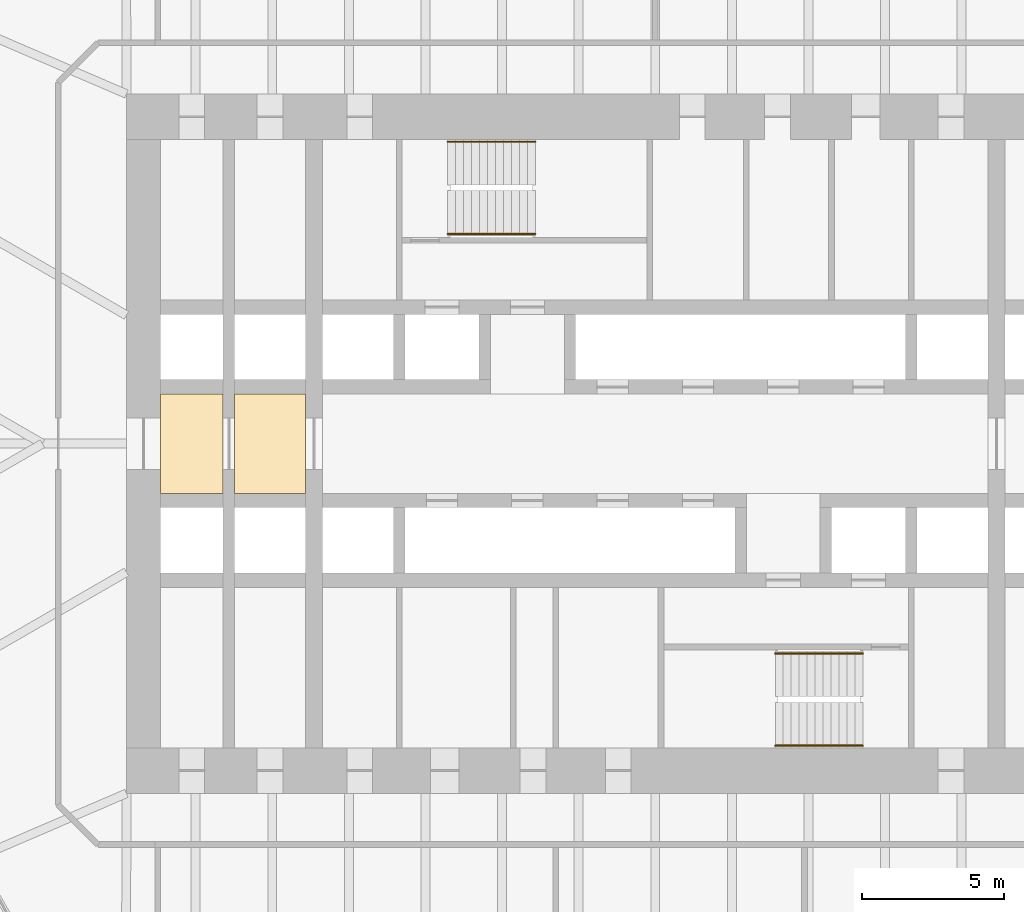
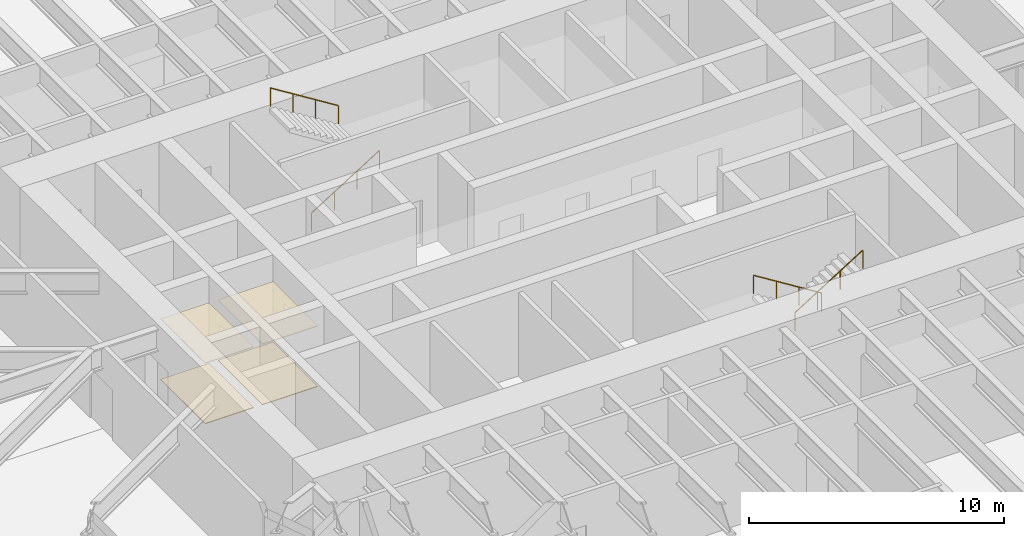
# One storey, part 21 of 23: 4 coverings, 4 railings.
"""IFC4 building model written with IfcOpenShell, lengths in metres."""

from ifc_helpers import new_model, si_unit, direction, frame, origin, origin_2d, place, context, subcontext, project, spatial, polyline, circle, outline, extrude, material, layer, layer_set, type_object, element, save


model = new_model("IFC4")

# Units and contexts
model_context = context("Model", 3, precision=1e-05, world=origin(), true_north=direction((0.0, 1.0)))
body_context = subcontext(model_context, "Body", "Model", "MODEL_VIEW")
ifc_project = project(units=[si_unit("LENGTHUNIT", "METRE"), si_unit("AREAUNIT", "SQUARE_METRE"), si_unit("VOLUMEUNIT", "CUBIC_METRE"), si_unit("PLANEANGLEUNIT", "RADIAN"), si_unit("MASSUNIT", "GRAM", prefix="KILO")], contexts=[model_context])

# Site, building, storey
site_placement = place(None, origin())
site = spatial("IfcSite", under=ifc_project, at=site_placement, CompositionType="ELEMENT")
building_placement = place(site_placement, origin())
building = spatial("IfcBuilding", under=site, at=building_placement, Name="Tarfa Lantern Tower", CompositionType="ELEMENT")
storey_placement = place(building_placement, frame((0.0, 0.0, 31.89990234375)))
storey = spatial("IfcBuildingStorey", under=building, at=storey_placement, Name="L06", CompositionType="ELEMENT", Elevation=31.89990234375)

# Coverings
ifc_material_1 = material(Name="Powder-coated aluminium panel", Category="aluminium")
ifc_layer_1 = layer(ifc_material_1, 0.030029296875)
ifc_layer_set_1 = layer_set([ifc_layer_1], Name="CL3 METAL PANEL CEILING 30")
covering_type_1 = type_object("IfcCoveringType", Name="CL3 METAL PANEL CEILING 30", PredefinedType="CEILING", material=ifc_layer_set_1)
covering_1_placement = place(storey_placement, frame((0.0, 0.0, 2.900146484375)))
element("IfcCovering", 1, at=covering_1_placement, inside=storey, type_object=covering_type_1, Name="Ceiling L06-01", PredefinedType="CEILING", context=body_context, shape_type="SweptSolid", body=[
    extrude(outline(polyline([(-17.39990234375, -1.75), (-15.199951171875, -1.75), (-15.199951171875, 1.75), (-17.39990234375, 1.75), (-17.39990234375, -1.75)])), origin(), (0.0, 0.0, 1.0), 0.030029296875),
])
covering_2_placement = place(storey_placement, frame((0.0, 0.0, 2.900146484375)))
element("IfcCovering", 2, at=covering_2_placement, inside=storey, type_object=covering_type_1, Name="Ceiling L06-02", PredefinedType="CEILING", context=body_context, shape_type="SweptSolid", body=[
    extrude(outline(polyline([(-14.800048828125, -1.75), (-12.300048828125, -1.75), (-12.300048828125, 1.75), (-14.800048828125, 1.75), (-14.800048828125, -1.75)])), origin(), (0.0, 0.0, 1.0), 0.030029296875),
])
ifc_material_2 = material(Name="Honed limestone flooring", Category="masonry")
ifc_layer_2 = layer(ifc_material_2, 0.030029296875)
ifc_layer_set_2 = layer_set([ifc_layer_2], Name="FL2 STONE FLOORING 30")
covering_type_2 = type_object("IfcCoveringType", Name="FL2 STONE FLOORING 30", PredefinedType="FLOORING", material=ifc_layer_set_2)
covering_3_placement = place(storey_placement, origin())
element("IfcCovering", 3, at=covering_3_placement, inside=storey, type_object=covering_type_2, Name="Floor finish L06-01", PredefinedType="FLOORING", context=body_context, shape_type="SweptSolid", body=[
    extrude(outline(polyline([(-17.39990234375, -1.75), (-15.199951171875, -1.75), (-15.199951171875, 1.75), (-17.39990234375, 1.75), (-17.39990234375, -1.75)])), origin(), (0.0, 0.0, 1.0), 0.030029296875),
])
covering_4_placement = place(storey_placement, origin())
element("IfcCovering", 4, at=covering_4_placement, inside=storey, type_object=covering_type_2, Name="Floor finish L06-02", PredefinedType="FLOORING", context=body_context, shape_type="SweptSolid", body=[
    extrude(outline(polyline([(-14.800048828125, -1.75), (-12.300048828125, -1.75), (-12.300048828125, 1.75), (-14.800048828125, 1.75), (-14.800048828125, -1.75)])), origin(), (0.0, 0.0, 1.0), 0.030029296875),
])

# Railings
ifc_material_3 = material(Name="Stainless steel", Category="steel")
railing_type = type_object("IfcRailingType", Name="HR1 HANDRAIL 900", PredefinedType="HANDRAIL", material=ifc_material_3)
railing_1_placement = place(storey_placement, frame((-7.300048828125, 7.3798828125, 0.175048828125)))
element("IfcRailing", 5, at=railing_1_placement, inside=storey, type_object=railing_type, Name="Handrail 1", PredefinedType="HANDRAIL", context=body_context, shape_type="SweptSolid", body=[
    extrude(circle(Radius=0.02392578125, at=origin_2d()), frame((0.0, 0.0, 0.8759765625), z_axis=(0.847998304005, 0.0, 0.529998940003), x_axis=(0.0, 1.0, 0.0)), (0.0, 0.0, 1.0), 3.632080078125),
    extrude(circle(Radius=0.02099609375, at=origin_2d()), frame((0.0, 0.0, 0.0), z_axis=(0.0, 0.0, 1.0), x_axis=(0.0, 1.0, 0.0)), (0.0, 0.0, 1.0), 0.851806640625),
    extrude(circle(Radius=0.02099609375, at=origin_2d()), frame((1.026611328125, 0.0, 0.6416015625), z_axis=(0.0, 0.0, 1.0), x_axis=(0.0, 1.0, 0.0)), (0.0, 0.0, 1.0), 0.851806640625),
    extrude(circle(Radius=0.02099609375, at=origin_2d()), frame((2.053466796875, 0.0, 1.283447265625), z_axis=(0.0, 0.0, 1.0), x_axis=(0.0, 1.0, 0.0)), (0.0, 0.0, 1.0), 0.851806640625),
    extrude(circle(Radius=0.02099609375, at=origin_2d()), frame((3.080078125, 0.0, 1.925048828125), z_axis=(0.0, 0.0, 1.0), x_axis=(0.0, 1.0, 0.0)), (0.0, 0.0, 1.0), 0.851806640625),
])
for number, where, name in (
    (6, (-4.219970703125, 10.6201171875, 2.275146484375), "Handrail 2"),
    (7, (7.300048828125, -7.3798828125, 0.175048828125), "Handrail 1"),
):
    element("IfcRailing", number, at=place(storey_placement, frame(where)), inside=storey, type_object=railing_type, Name=name, PredefinedType="HANDRAIL", context=body_context, shape_type="SweptSolid", body=[
        extrude(circle(Radius=0.02392578125, at=origin_2d()), frame((0.0, 0.0, 0.8759765625), z_axis=(-0.847998304005, 0.0, 0.529998940003), x_axis=(0.0, -1.0, 0.0)), (0.0, 0.0, 1.0), 3.632080078125),
        extrude(circle(Radius=0.02099609375, at=origin_2d()), frame((0.0, 0.0, 0.0), z_axis=(0.0, 0.0, 1.0), x_axis=(0.0, -1.0, 0.0)), (0.0, 0.0, 1.0), 0.851806640625),
        extrude(circle(Radius=0.02099609375, at=origin_2d()), frame((-1.026611328125, 0.0, 0.6416015625), z_axis=(0.0, 0.0, 1.0), x_axis=(0.0, -1.0, 0.0)), (0.0, 0.0, 1.0), 0.851806640625),
        extrude(circle(Radius=0.02099609375, at=origin_2d()), frame((-2.053466796875, 0.0, 1.283447265625), z_axis=(0.0, 0.0, 1.0), x_axis=(0.0, -1.0, 0.0)), (0.0, 0.0, 1.0), 0.851806640625),
        extrude(circle(Radius=0.02099609375, at=origin_2d()), frame((-3.080078125, 0.0, 1.925048828125), z_axis=(0.0, 0.0, 1.0), x_axis=(0.0, -1.0, 0.0)), (0.0, 0.0, 1.0), 0.851806640625),
    ])
railing_2_placement = place(storey_placement, frame((4.219970703125, -10.6201171875, 2.275146484375)))
element("IfcRailing", 8, at=railing_2_placement, inside=storey, type_object=railing_type, Name="Handrail 2", PredefinedType="HANDRAIL", context=body_context, shape_type="SweptSolid", body=[
    extrude(circle(Radius=0.02392578125, at=origin_2d()), frame((0.0, 0.0, 0.8759765625), z_axis=(0.847998304005, 0.0, 0.529998940003), x_axis=(0.0, 1.0, 0.0)), (0.0, 0.0, 1.0), 3.632080078125),
    extrude(circle(Radius=0.02099609375, at=origin_2d()), frame((0.0, 0.0, 0.0), z_axis=(0.0, 0.0, 1.0), x_axis=(0.0, 1.0, 0.0)), (0.0, 0.0, 1.0), 0.851806640625),
    extrude(circle(Radius=0.02099609375, at=origin_2d()), frame((1.026611328125, 0.0, 0.6416015625), z_axis=(0.0, 0.0, 1.0), x_axis=(0.0, 1.0, 0.0)), (0.0, 0.0, 1.0), 0.851806640625),
    extrude(circle(Radius=0.02099609375, at=origin_2d()), frame((2.053466796875, 0.0, 1.283447265625), z_axis=(0.0, 0.0, 1.0), x_axis=(0.0, 1.0, 0.0)), (0.0, 0.0, 1.0), 0.851806640625),
    extrude(circle(Radius=0.02099609375, at=origin_2d()), frame((3.080078125, 0.0, 1.925048828125), z_axis=(0.0, 0.0, 1.0), x_axis=(0.0, 1.0, 0.0)), (0.0, 0.0, 1.0), 0.851806640625),
])

save(model, "model.ifc")
